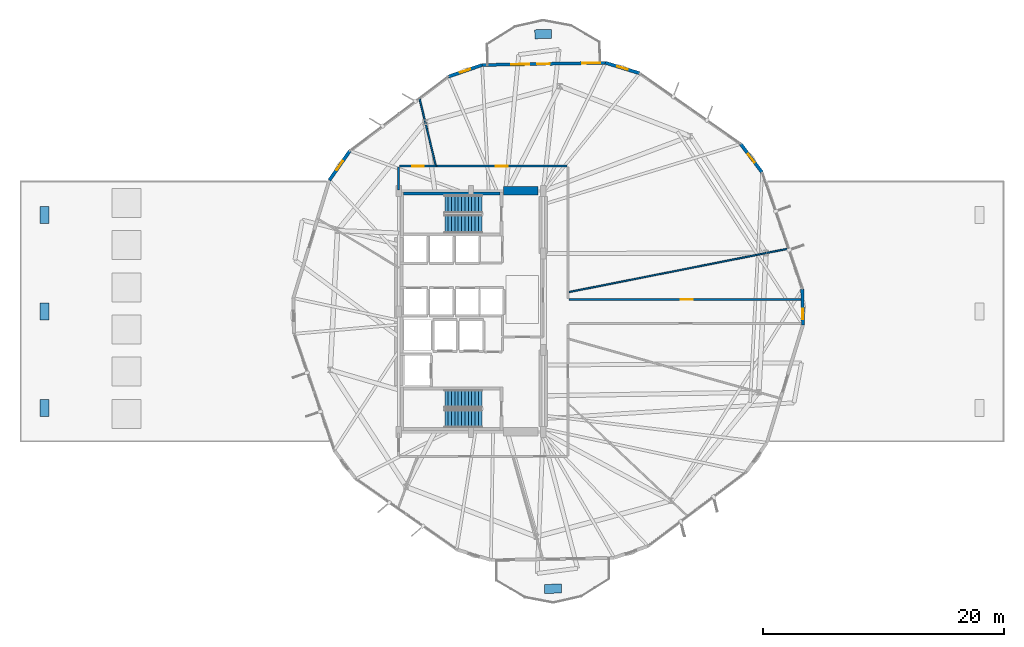
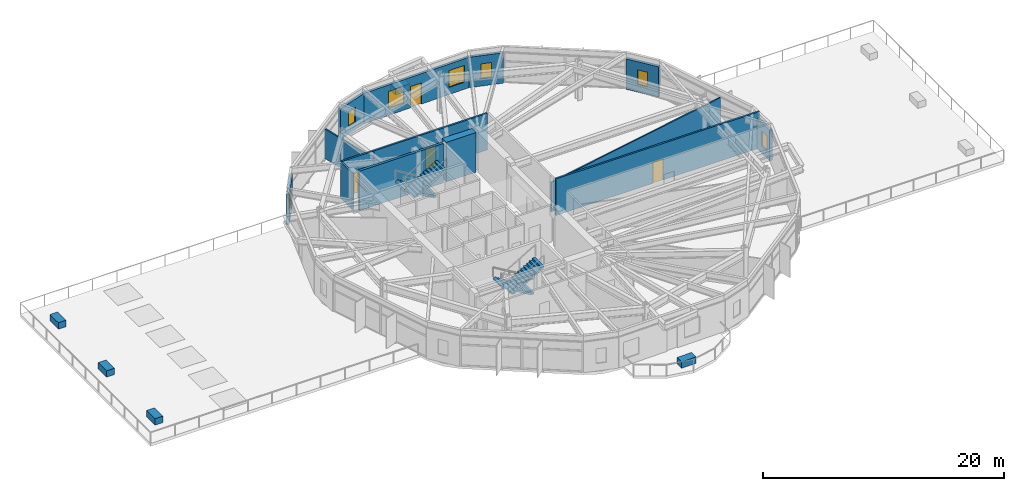
# One storey, part 19 of 23: 14 walls, 7 windows, 5 discrete accessories, 4 doors, 4 stair flights, 11 openings, 2 elements without a shape of their own.
"""IFC4 building model written with IfcOpenShell, lengths in metres."""

import ifcopenshell
import ifcopenshell.guid

model = None  # the IFC model being written
_history = None  # IfcOwnerHistory: only IFC2X3 demands one
_inside = {}  # id of a spatial element -> (the spatial element, [elements in it])
_under = {}  # id of a project, library or spatial element -> (it, [spatial elements below it])
_declared = {}  # id of a project -> (the project, [libraries it declares])
_typed = {}  # id of a type object -> (the type object, [elements of that type])
_made_of = {}  # id of a material, layer set ... -> (it, [elements and type objects made of it])


def new_model(schema):
    """Start an empty IFC model of exactly this schema.

    Asked for "IFC4X3", IfcOpenShell would pick the latest addendum, in which some entities
    have other attributes; the version numbers below select the first issue.
    IFC2X3 requires an IfcOwnerHistory on every rooted entity: one is made here for all.
    """
    global model, _history
    if schema == "IFC4X3":
        model = ifcopenshell.file(schema_version=(4, 3, 0, 0))
    else:
        model = ifcopenshell.file(schema=schema)
    _inside.clear()
    _under.clear()
    _declared.clear()
    _typed.clear()
    _made_of.clear()
    _history = None
    if model.schema == "IFC2X3":
        org = make("IfcOrganization", Name="unknown")
        user = make(
            "IfcPersonAndOrganization",
            ThePerson=make("IfcPerson", FamilyName="unknown"),
            TheOrganization=org,
        )
        app = make(
            "IfcApplication",
            ApplicationDeveloper=org,
            Version="unknown",
            ApplicationFullName="unknown",
            ApplicationIdentifier="unknown",
        )
        _history = make(
            "IfcOwnerHistory",
            OwningUser=user,
            OwningApplication=app,
            ChangeAction="ADDED",
            CreationDate=0,
        )
    return model


def make(cls, **values):
    """One entity of the class cls with the attributes given. An attribute that is None is left unset."""
    return model.create_entity(
        cls, **{name: value for name, value in values.items() if value is not None}
    )


def rooted(cls, **values):
    """An entity with a GlobalId (a new one), such as an element, a storey or a relation."""
    return make(cls, GlobalId=ifcopenshell.guid.new(), OwnerHistory=_history, **values)


def si_unit(unit_type, name, prefix=None):
    """IfcSIUnit, for example si_unit("LENGTHUNIT", "METRE", prefix="MILLI")."""
    return make("IfcSIUnit", UnitType=unit_type, Prefix=prefix, Name=name)


def assignment(units):
    """IfcUnitAssignment: the units of a project."""
    return None if units is None else make("IfcUnitAssignment", Units=units)


def point(xyz):
    """IfcCartesianPoint."""
    return None if xyz is None else make("IfcCartesianPoint", Coordinates=xyz)


def direction(xyz):
    """IfcDirection."""
    return None if xyz is None else make("IfcDirection", DirectionRatios=xyz)


def frame(location, z_axis=None, x_axis=None):
    """IfcAxis2Placement3D, a coordinate frame: its origin and axes. An axis left out is left unset."""
    return make(
        "IfcAxis2Placement3D",
        Location=point(location),
        Axis=direction(z_axis),
        RefDirection=direction(x_axis),
    )


def frame_2d(location, x_axis=None):
    """IfcAxis2Placement2D, a coordinate frame in the plane: its origin and x axis."""
    return make(
        "IfcAxis2Placement2D", Location=point(location), RefDirection=direction(x_axis)
    )


def origin():
    """The frame at (0, 0, 0) with its axes left unset."""
    return frame((0.0, 0.0, 0.0))


def origin_2d():
    """The frame at (0, 0) in the plane with its x axis left unset."""
    return frame_2d((0.0, 0.0))


def place(relative_to, where):
    """IfcLocalPlacement: puts the frame where relative to a parent placement (None: the world)."""
    return make(
        "IfcLocalPlacement", PlacementRelTo=relative_to, RelativePlacement=where
    )


def context(
    kind, dimensions, precision=None, world=None, true_north=None, identifier=None
):
    """IfcGeometricRepresentationContext, for example the 3D "Model" context."""
    return make(
        "IfcGeometricRepresentationContext",
        ContextIdentifier=identifier,
        ContextType=kind,
        CoordinateSpaceDimension=dimensions,
        Precision=precision,
        WorldCoordinateSystem=world,
        TrueNorth=true_north,
    )


def subcontext(parent, identifier, kind, view, scale=None):
    """IfcGeometricRepresentationSubContext, for example "Body" below "Model"."""
    return make(
        "IfcGeometricRepresentationSubContext",
        ContextIdentifier=identifier,
        ContextType=kind,
        ParentContext=parent,
        TargetScale=scale,
        TargetView=view,
    )


def project(units=None, contexts=None):
    """IfcProject with its units and contexts."""
    return rooted(
        "IfcProject",
        Name="project",
        RepresentationContexts=contexts,
        UnitsInContext=assignment(units),
    )


def spatial(cls, under=None, at=None, **own):
    """A site, building, storey or space (cls), placed at a placement, below another one or the project."""
    s = rooted(cls, ObjectPlacement=at, **own)
    if under is not None:
        _under.setdefault(under.id(), (under, []))[1].append(s)
    return s


def polyline(points):
    """IfcPolyline through the points."""
    return make("IfcPolyline", Points=[point(p) for p in points])


def profile(cls, at=None, kind="AREA", **sizes):
    """A parametric profile (cls). Its sizes go by their IFC names, for example OverallWidth=200.0."""
    return make(cls, ProfileType=kind, Position=at, **sizes)


def rectangle(**sizes):
    """IfcRectangleProfileDef."""
    return profile("IfcRectangleProfileDef", **sizes)


def outline(outer, holes=None, kind="AREA"):
    """IfcArbitraryClosedProfileDef: a profile drawn as a closed curve; with holes, ...WithVoids."""
    if holes is None:
        return make("IfcArbitraryClosedProfileDef", ProfileType=kind, OuterCurve=outer)
    return make(
        "IfcArbitraryProfileDefWithVoids",
        ProfileType=kind,
        OuterCurve=outer,
        InnerCurves=holes,
    )


def extrude(swept, where, along, depth):
    """IfcExtrudedAreaSolid: the profile swept, set in the frame where, extruded along a direction by depth."""
    return make(
        "IfcExtrudedAreaSolid",
        SweptArea=swept,
        Position=where,
        ExtrudedDirection=direction(along),
        Depth=depth,
    )


def shape(context_of_items, identifier, shape_type, items):
    """IfcShapeRepresentation: the items that make up one representation, for example the "Body"."""
    return make(
        "IfcShapeRepresentation",
        ContextOfItems=context_of_items,
        RepresentationIdentifier=identifier,
        RepresentationType=shape_type,
        Items=items,
    )


def material(Name=None, Category=None):
    """IfcMaterial."""
    return make("IfcMaterial", Name=Name, Category=Category)


def layer(
    of_material, thickness, ventilated=None, Name=None, Category=None, Priority=None
):
    """IfcMaterialLayer: one layer of a wall or slab, of a material (None: an air gap)."""
    return make(
        "IfcMaterialLayer",
        Material=of_material,
        LayerThickness=thickness,
        IsVentilated=ventilated,
        Name=Name,
        Category=Category,
        Priority=Priority,
    )


def layer_set(layers, Name=None):
    """IfcMaterialLayerSet."""
    return make("IfcMaterialLayerSet", MaterialLayers=layers, LayerSetName=Name)


def made_of(thing, what):
    """Note that an element or type object is made of a material, layer set ...; save() writes the relation."""
    if what is not None:
        _made_of.setdefault(what.id(), (what, []))[1].append(thing)
    return thing


def type_object(cls, material=None, **own):
    """A type object (cls), such as IfcWallType, which elements share."""
    return made_of(rooted(cls, **own), material)


def element(
    cls,
    number,
    at=None,
    inside=None,
    cuts=None,
    type_object=None,
    material=None,
    context=None,
    identifier="Body",
    shape_type=None,
    held_by="IfcProductDefinitionShape",
    body=None,
    shapes=None,
    **own,
):
    """One element of the class cls, such as IfcWall. Its Tag is "e" and its number.

    at: its placement. inside: the storey or other place that contains it. cuts: it is an
    opening in that element (IfcRelVoidsElement). A single representation is given by context,
    identifier, shape_type and body (its items); several are given by shapes. held_by: the class
    of the entity that holds the representations. save() writes the other relations.
    """
    e = rooted(cls, Tag="e%d" % number, ObjectPlacement=at, **own)
    if body is not None:
        shapes = [shape(context, identifier, shape_type, body)]
    if shapes is not None:
        e.Representation = make(held_by, Representations=shapes)
    if inside is not None:
        _inside.setdefault(inside.id(), (inside, []))[1].append(e)
    if cuts is not None:
        rooted(
            "IfcRelVoidsElement", RelatingBuildingElement=cuts, RelatedOpeningElement=e
        )
    if type_object is not None:
        _typed.setdefault(type_object.id(), (type_object, []))[1].append(e)
    return made_of(e, material)


def fill(opening, filler):
    """IfcRelFillsElement: the door or window that sits in an opening."""
    return rooted(
        "IfcRelFillsElement",
        RelatingOpeningElement=opening,
        RelatedBuildingElement=filler,
    )


def aggregate(whole, parts):
    """IfcRelAggregates: a whole, such as a stair, and the parts it consists of."""
    return rooted("IfcRelAggregates", RelatingObject=whole, RelatedObjects=parts)


def save(model, path):
    """Write the relations noted so far, then the file.

    IfcRelAggregates (storeys below a building ...), IfcRelContainedInSpatialStructure (elements
    in a storey), IfcRelDefinesByType, IfcRelAssociatesMaterial and IfcRelDeclares: one each for
    every whole, place, type object, material and project.
    """
    for whole, parts in _under.values():
        aggregate(whole, parts)
    for where, things in _inside.values():
        rooted(
            "IfcRelContainedInSpatialStructure",
            RelatedElements=things,
            RelatingStructure=where,
        )
    for kind, things in _typed.values():
        rooted("IfcRelDefinesByType", RelatedObjects=things, RelatingType=kind)
    for what, things in _made_of.values():
        rooted("IfcRelAssociatesMaterial", RelatedObjects=things, RelatingMaterial=what)
    for by, libraries in _declared.values():
        rooted("IfcRelDeclares", RelatingContext=by, RelatedDefinitions=libraries)
    model.write(path)


model = new_model("IFC4")

# Units and contexts
model_context = context("Model", 3, precision=1e-05, world=origin(), true_north=direction((0.0, 1.0)))
body_context = subcontext(model_context, "Body", "Model", "MODEL_VIEW")
ifc_project = project(units=[si_unit("LENGTHUNIT", "METRE"), si_unit("AREAUNIT", "SQUARE_METRE"), si_unit("VOLUMEUNIT", "CUBIC_METRE"), si_unit("PLANEANGLEUNIT", "RADIAN"), si_unit("MASSUNIT", "GRAM", prefix="KILO")], contexts=[model_context])

# Site, building, storey
site_placement = place(None, origin())
site = spatial("IfcSite", under=ifc_project, at=site_placement, CompositionType="ELEMENT")
building_placement = place(site_placement, origin())
building = spatial("IfcBuilding", under=site, at=building_placement, Name="Soratama Intermodal Tower", CompositionType="ELEMENT")
storey_placement = place(building_placement, frame((0.0, 0.0, 30.60009765625)))
storey = spatial("IfcBuildingStorey", under=building, at=storey_placement, Name="L06", CompositionType="ELEMENT", Elevation=30.60009765625)

# Wall, openings, door, windows
ifc_material_1 = material(Name="Concrete f'c 42 MPa", Category="concrete")
ifc_layer_1 = layer(ifc_material_1, 0.25)
ifc_layer_set_1 = layer_set([ifc_layer_1], Name="Concrete f'c 42 MPa")
wall_type_1 = type_object("IfcWallType", Name="EW-BAL-250", PredefinedType="SOLIDWALL", material=ifc_layer_set_1)
wall_1_placement = place(storey_placement, frame((49.748779296875, 45.630615234375, 0.0), z_axis=(0.0, 0.0, 1.0), x_axis=(-0.999841518507, -0.017802748951, 0.0)))
wall_1 = element("IfcWall", 1, at=wall_1_placement, inside=storey, type_object=wall_type_1, Name="L06 Terrace Wall F03", PredefinedType="SOLIDWALL", context=body_context, shape_type="SweptSolid", body=[
    extrude(rectangle(XDim=10.23046875, YDim=0.25, at=frame_2d((5.115234375, 0.0))), origin(), (0.0, 0.0, 1.0), 3.078857421875),
])
opening_1_placement = place(wall_1_placement, frame((4.615234375, 0.0, 0.0)))
opening_1 = element("IfcOpeningElement", 2, at=opening_1_placement, cuts=wall_1, Name="Opening ED-5", PredefinedType="OPENING", context=body_context, shape_type="SweptSolid", body=[
    extrude(rectangle(XDim=1.050048828125, YDim=2.14990234375, at=frame_2d((0.52490234375, 1.074951171875))), frame((0.0, 0.135009765625, 0.0), z_axis=(0.0, -1.0, 0.0), x_axis=(1.0, 0.0, 0.0)), (0.0, 0.0, 1.0), 0.27001953125),
])
opening_2_placement = place(wall_1_placement, frame((0.43994140625, 0.0, 0.719970703125)))
opening_2 = element("IfcOpeningElement", 3, at=opening_2_placement, cuts=wall_1, Name="Opening WN-1", PredefinedType="OPENING", context=body_context, shape_type="SweptSolid", body=[
    extrude(rectangle(XDim=1.5, YDim=1.699951171875, at=frame_2d((0.75, 0.85009765625))), frame((0.0, 0.135009765625, 0.0), z_axis=(0.0, -1.0, 0.0), x_axis=(1.0, 0.0, 0.0)), (0.0, 0.0, 1.0), 0.27001953125),
])
opening_3_placement = place(wall_1_placement, frame((6.30517578125, 0.0, 0.719970703125)))
opening_3 = element("IfcOpeningElement", 4, at=opening_3_placement, cuts=wall_1, Name="Opening WN-1", PredefinedType="OPENING", context=body_context, shape_type="SweptSolid", body=[
    extrude(rectangle(XDim=1.5, YDim=1.699951171875, at=frame_2d((0.75, 0.85009765625))), frame((0.0, 0.135009765625, 0.0), z_axis=(0.0, -1.0, 0.0), x_axis=(1.0, 0.0, 0.0)), (0.0, 0.0, 1.0), 0.27001953125),
])
ifc_material_2 = material(Name="Double-glazed aluminium door", Category="aluminium")
door_type_1 = type_object("IfcDoorType", Name="DR-BAL-1050", OperationType="NOTDEFINED", PredefinedType="DOOR", material=ifc_material_2)
door_1_placement = place(opening_1_placement, origin())
door_1 = element("IfcDoor", 5, at=door_1_placement, inside=storey, type_object=door_type_1, Name="L06 Balcony Door F03", OperationType="SINGLE_SWING_LEFT", OverallHeight=2.14990234375, OverallWidth=1.050048828125, PredefinedType="DOOR", context=body_context, shape_type="SweptSolid", body=[
    extrude(rectangle(XDim=1.050048828125, YDim=2.14990234375, at=frame_2d((0.52490234375, 1.074951171875))), frame((0.0, 0.02490234375, 0.0), z_axis=(0.0, -1.0, 0.0), x_axis=(1.0, 0.0, 0.0)), (0.0, 0.0, 1.0), 0.050048828125),
])
fill(opening_1, door_1)
ifc_material_3 = material(Name="Double-glazed aluminium window", Category="aluminium")
window_type_1 = type_object("IfcWindowType", Name="WN-FAC-1500", PartitioningType="SINGLE_PANEL", PredefinedType="WINDOW", material=ifc_material_3)
window_1_placement = place(opening_2_placement, origin())
window_1 = element("IfcWindow", 6, at=window_1_placement, inside=storey, type_object=window_type_1, Name="L06 Window A F03", OverallHeight=1.699951171875, OverallWidth=1.5, PartitioningType="SINGLE_PANEL", PredefinedType="WINDOW", context=body_context, shape_type="SweptSolid", body=[
    extrude(rectangle(XDim=1.5, YDim=1.699951171875, at=frame_2d((0.75, 0.85009765625))), frame((0.0, 0.030029296875, 0.0), z_axis=(0.0, -1.0, 0.0), x_axis=(1.0, 0.0, 0.0)), (0.0, 0.0, 1.0), 0.06005859375),
])
fill(opening_2, window_1)
window_2_placement = place(opening_3_placement, origin())
window_2 = element("IfcWindow", 7, at=window_2_placement, inside=storey, type_object=window_type_1, Name="L06 Window B F03", OverallHeight=1.699951171875, OverallWidth=1.5, PartitioningType="SINGLE_PANEL", PredefinedType="WINDOW", context=body_context, shape_type="SweptSolid", body=[
    extrude(rectangle(XDim=1.5, YDim=1.699951171875, at=frame_2d((0.75, 0.85009765625))), frame((0.0, 0.030029296875, 0.0), z_axis=(0.0, -1.0, 0.0), x_axis=(1.0, 0.0, 0.0)), (0.0, 0.0, 1.0), 0.06005859375),
])
fill(opening_3, window_2)

# Wall, opening, window
ifc_material_4 = material(Name="Concrete f'c 42 MPa", Category="concrete")
ifc_layer_2 = layer(ifc_material_4, 0.27001953125)
ifc_layer_set_2 = layer_set([ifc_layer_2], Name="Concrete f'c 42 MPa")
wall_type_2 = type_object("IfcWallType", Name="EW-CRN-270", PredefinedType="SOLIDWALL", material=ifc_layer_set_2)
wall_2_placement = place(storey_placement, frame((62.75439453125, 36.53076171875, 0.0), z_axis=(0.0, 0.0, 1.0), x_axis=(-0.602130877059, 0.798397399102, 0.0)))
wall_2 = element("IfcWall", 8, at=wall_2_placement, inside=storey, type_object=wall_type_2, Name="L06 Corner Closure Wall 01", PredefinedType="SOLIDWALL", context=body_context, shape_type="SweptSolid", body=[
    extrude(rectangle(XDim=2.966796875, YDim=0.27001953125, at=frame_2d((1.4833984375, 0.0))), origin(), (0.0, 0.0, 1.0), 3.078857421875),
])
opening_4_placement = place(wall_2_placement, frame((1.033203125, 0.0, 0.75)))
opening_4 = element("IfcOpeningElement", 9, at=opening_4_placement, cuts=wall_2, Name="Opening WN-6", PredefinedType="OPENING", context=body_context, shape_type="SweptSolid", body=[
    extrude(rectangle(XDim=0.89990234375, YDim=1.5, at=frame_2d((0.449951171875, 0.75))), frame((0.0, 0.14501953125, 0.0), z_axis=(0.0, -1.0, 0.0), x_axis=(1.0, 0.0, 0.0)), (0.0, 0.0, 1.0), 0.2900390625),
])
ifc_material_5 = material(Name="Double-glazed aluminium window", Category="aluminium")
window_type_2 = type_object("IfcWindowType", Name="WN-FAC-900", PartitioningType="SINGLE_PANEL", PredefinedType="WINDOW", material=ifc_material_5)
window_3_placement = place(opening_4_placement, origin())
window_3 = element("IfcWindow", 10, at=window_3_placement, inside=storey, type_object=window_type_2, Name="L06 Corner Window 01", OverallHeight=1.5, OverallWidth=0.89990234375, PartitioningType="SINGLE_PANEL", PredefinedType="WINDOW", context=body_context, shape_type="SweptSolid", body=[
    extrude(rectangle(XDim=0.89990234375, YDim=1.5, at=frame_2d((0.449951171875, 0.75))), frame((0.0, 0.030029296875, 0.0), z_axis=(0.0, -1.0, 0.0), x_axis=(1.0, 0.0, 0.0)), (0.0, 0.0, 1.0), 0.06005859375),
])
fill(opening_4, window_3)

wall_3_placement = place(storey_placement, frame((52.5859375, 44.764404296875, 0.0), z_axis=(0.0, 0.0, 1.0), x_axis=(-0.956417352577, 0.292003163836, 0.0)))
wall_3 = element("IfcWall", 11, at=wall_3_placement, inside=storey, type_object=wall_type_2, Name="L06 Corner Closure Wall 02", PredefinedType="SOLIDWALL", context=body_context, shape_type="SweptSolid", body=[
    extrude(rectangle(XDim=2.966552734375, YDim=0.27001953125, at=frame_2d((1.4833984375, 0.0))), origin(), (0.0, 0.0, 1.0), 3.078857421875),
])
opening_5_placement = place(wall_3_placement, frame((1.033203125, 0.0, 0.75)))
opening_5 = element("IfcOpeningElement", 12, at=opening_5_placement, cuts=wall_3, Name="Opening WN-6", PredefinedType="OPENING", context=body_context, shape_type="SweptSolid", body=[
    extrude(rectangle(XDim=0.89990234375, YDim=1.5, at=frame_2d((0.449951171875, 0.75))), frame((0.0, 0.14501953125, 0.0), z_axis=(0.0, -1.0, 0.0), x_axis=(1.0, 0.0, 0.0)), (0.0, 0.0, 1.0), 0.2900390625),
])
window_4_placement = place(opening_5_placement, origin())
window_4 = element("IfcWindow", 13, at=window_4_placement, inside=storey, type_object=window_type_2, Name="L06 Corner Window 02", OverallHeight=1.5, OverallWidth=0.89990234375, PartitioningType="SINGLE_PANEL", PredefinedType="WINDOW", context=body_context, shape_type="SweptSolid", body=[
    extrude(rectangle(XDim=0.89990234375, YDim=1.5, at=frame_2d((0.449951171875, 0.75))), frame((0.0, 0.030029296875, 0.0), z_axis=(0.0, -1.0, 0.0), x_axis=(1.0, 0.0, 0.0)), (0.0, 0.0, 1.0), 0.06005859375),
])
fill(opening_5, window_4)

wall_4_placement = place(storey_placement, frame((39.52001953125, 45.448486328125, 0.0), z_axis=(0.0, 0.0, 1.0), x_axis=(-0.945407958228, -0.325889233512, 0.0)))
wall_4 = element("IfcWall", 14, at=wall_4_placement, inside=storey, type_object=wall_type_2, Name="L06 Corner Closure Wall 03", PredefinedType="SOLIDWALL", context=body_context, shape_type="SweptSolid", body=[
    extrude(rectangle(XDim=2.966552734375, YDim=0.27001953125, at=frame_2d((1.4833984375, 0.0))), origin(), (0.0, 0.0, 1.0), 3.078857421875),
])
opening_6_placement = place(wall_4_placement, frame((1.033203125, 0.0, 0.75)))
opening_6 = element("IfcOpeningElement", 15, at=opening_6_placement, cuts=wall_4, Name="Opening WN-6", PredefinedType="OPENING", context=body_context, shape_type="SweptSolid", body=[
    extrude(rectangle(XDim=0.89990234375, YDim=1.5, at=frame_2d((0.449951171875, 0.75))), frame((0.0, 0.14501953125, 0.0), z_axis=(0.0, -1.0, 0.0), x_axis=(1.0, 0.0, 0.0)), (0.0, 0.0, 1.0), 0.2900390625),
])
window_5_placement = place(opening_6_placement, origin())
window_5 = element("IfcWindow", 16, at=window_5_placement, inside=storey, type_object=window_type_2, Name="L06 Corner Window 03", OverallHeight=1.5, OverallWidth=0.89990234375, PartitioningType="SINGLE_PANEL", PredefinedType="WINDOW", context=body_context, shape_type="SweptSolid", body=[
    extrude(rectangle(XDim=0.89990234375, YDim=1.5, at=frame_2d((0.449951171875, 0.75))), frame((0.0, 0.030029296875, 0.0), z_axis=(0.0, -1.0, 0.0), x_axis=(1.0, 0.0, 0.0)), (0.0, 0.0, 1.0), 0.06005859375),
])
fill(opening_6, window_5)

wall_5_placement = place(storey_placement, frame((28.547119140625, 38.322021484375, 0.0), z_axis=(0.0, 0.0, 1.0), x_axis=(-0.573285584338, -0.819355624128, 0.0)))
wall_5 = element("IfcWall", 17, at=wall_5_placement, inside=storey, type_object=wall_type_2, Name="L06 Corner Closure Wall 04", PredefinedType="SOLIDWALL", context=body_context, shape_type="SweptSolid", body=[
    extrude(rectangle(XDim=2.966552734375, YDim=0.27001953125, at=frame_2d((1.4833984375, 0.0))), origin(), (0.0, 0.0, 1.0), 3.078857421875),
])
opening_7_placement = place(wall_5_placement, frame((1.033203125, 0.0, 0.75)))
opening_7 = element("IfcOpeningElement", 18, at=opening_7_placement, cuts=wall_5, Name="Opening WN-6", PredefinedType="OPENING", context=body_context, shape_type="SweptSolid", body=[
    extrude(rectangle(XDim=0.89990234375, YDim=1.5, at=frame_2d((0.449951171875, 0.75))), frame((0.0, 0.14501953125, 0.0), z_axis=(0.0, -1.0, 0.0), x_axis=(1.0, 0.0, 0.0)), (0.0, 0.0, 1.0), 0.2900390625),
])
window_6_placement = place(opening_7_placement, origin())
window_6 = element("IfcWindow", 19, at=window_6_placement, inside=storey, type_object=window_type_2, Name="L06 Corner Window 04", OverallHeight=1.5, OverallWidth=0.89990234375, PartitioningType="SINGLE_PANEL", PredefinedType="WINDOW", context=body_context, shape_type="SweptSolid", body=[
    extrude(rectangle(XDim=0.89990234375, YDim=1.5, at=frame_2d((0.449951171875, 0.75))), frame((0.0, 0.030029296875, 0.0), z_axis=(0.0, -1.0, 0.0), x_axis=(1.0, 0.0, 0.0)), (0.0, 0.0, 1.0), 0.06005859375),
])
fill(opening_7, window_6)

wall_6_placement = place(storey_placement, frame((66.14111328125, 23.892822265625, 0.0), z_axis=(0.0, 0.0, 1.0), x_axis=(-0.017776431734, 0.999841986753, 0.0)))
wall_6 = element("IfcWall", 20, at=wall_6_placement, inside=storey, type_object=wall_type_2, Name="L06 Corner Closure Wall 10", PredefinedType="SOLIDWALL", context=body_context, shape_type="SweptSolid", body=[
    extrude(rectangle(XDim=2.966552734375, YDim=0.27001953125, at=frame_2d((1.4833984375, 0.0))), origin(), (0.0, 0.0, 1.0), 3.078857421875),
])
opening_8_placement = place(wall_6_placement, frame((0.449951171875, 0.0, 0.75)))
opening_8 = element("IfcOpeningElement", 21, at=opening_8_placement, cuts=wall_6, Name="Opening WN-6", PredefinedType="OPENING", context=body_context, shape_type="SweptSolid", body=[
    extrude(rectangle(XDim=0.89990234375, YDim=1.5, at=frame_2d((0.449951171875, 0.75))), frame((0.0, 0.14501953125, 0.0), z_axis=(0.0, -1.0, 0.0), x_axis=(1.0, 0.0, 0.0)), (0.0, 0.0, 1.0), 0.2900390625),
])
window_7_placement = place(opening_8_placement, origin())
window_7 = element("IfcWindow", 22, at=window_7_placement, inside=storey, type_object=window_type_2, Name="L06 Corner Window 10", OverallHeight=1.5, OverallWidth=0.89990234375, PartitioningType="SINGLE_PANEL", PredefinedType="WINDOW", context=body_context, shape_type="SweptSolid", body=[
    extrude(rectangle(XDim=0.89990234375, YDim=1.5, at=frame_2d((0.449951171875, 0.75))), frame((0.0, 0.030029296875, 0.0), z_axis=(0.0, -1.0, 0.0), x_axis=(1.0, 0.0, 0.0)), (0.0, 0.0, 1.0), 0.06005859375),
])
fill(opening_8, window_7)

# Wall, opening, door
ifc_material_6 = material(Name="Fire-rated gypsum stud partition", Category="concrete")
ifc_layer_3 = layer(ifc_material_6, 0.169921875)
ifc_layer_set_3 = layer_set([ifc_layer_3], Name="Fire-rated gypsum stud partition")
wall_type_3 = type_object("IfcWallType", Name="IW-PART-R170", PredefinedType="PARTITIONING", material=ifc_layer_set_3)
wall_7_placement = place(storey_placement, frame((46.719970703125, 26.0, 0.0), z_axis=(0.0, 0.0, 1.0), x_axis=(1.0, 0.0, 0.0)))
wall_7 = element("IfcWall", 23, at=wall_7_placement, inside=storey, type_object=wall_type_3, Name="L06 Partition W-L06-TP001", PredefinedType="PARTITIONING", context=body_context, shape_type="SweptSolid", body=[
    extrude(rectangle(XDim=19.52001953125, YDim=0.169921875, at=frame_2d((9.760009765625, 0.0))), origin(), (0.0, 0.0, 1.0), 3.699951171875),
])
opening_9_placement = place(wall_7_placement, frame((9.284912109375, 0.0, 0.0)))
opening_9 = element("IfcOpeningElement", 24, at=opening_9_placement, cuts=wall_7, Name="Opening ID-5", PredefinedType="OPENING", context=body_context, shape_type="SweptSolid", body=[
    extrude(rectangle(XDim=0.97998046875, YDim=2.14990234375, at=frame_2d((0.489990234375, 1.074951171875))), frame((0.0, 0.094970703125, 0.0), z_axis=(0.0, -1.0, 0.0), x_axis=(1.0, 0.0, 0.0)), (0.0, 0.0, 1.0), 0.18994140625),
])
ifc_material_7 = material(Name="Solid hardwood acoustic door", Category="wood")
door_type_2 = type_object("IfcDoorType", Name="DR-OFF-980", OperationType="NOTDEFINED", PredefinedType="DOOR", material=ifc_material_7)
door_2_placement = place(opening_9_placement, origin())
door_2 = element("IfcDoor", 25, at=door_2_placement, inside=storey, type_object=door_type_2, Name="L06 Door D-L06-TP001", OperationType="SINGLE_SWING_RIGHT", OverallHeight=2.14990234375, OverallWidth=0.97998046875, PredefinedType="DOOR", context=body_context, shape_type="SweptSolid", body=[
    extrude(rectangle(XDim=0.97998046875, YDim=2.14990234375, at=frame_2d((0.489990234375, 1.074951171875))), frame((0.0, 0.02490234375, 0.0), z_axis=(0.0, -1.0, 0.0), x_axis=(1.0, 0.0, 0.0)), (0.0, 0.0, 1.0), 0.050048828125),
])
fill(opening_9, door_2)

wall_8_placement = place(storey_placement, frame((35.68701171875, 37.050048828125, 0.0), z_axis=(0.0, 0.0, 1.0), x_axis=(1.0, 0.0, 0.0)))
wall_8 = element("IfcWall", 26, at=wall_8_placement, inside=storey, type_object=wall_type_3, Name="L06 Partition W-L06-TP006", PredefinedType="PARTITIONING", context=body_context, shape_type="SweptSolid", body=[
    extrude(rectangle(XDim=10.89306640625, YDim=0.169921875, at=frame_2d((5.446533203125, 0.0))), origin(), (0.0, 0.0, 1.0), 3.699951171875),
])
opening_10_placement = place(wall_8_placement, frame((4.971923828125, 0.0, 0.0)))
opening_10 = element("IfcOpeningElement", 27, at=opening_10_placement, cuts=wall_8, Name="Opening ID-5", PredefinedType="OPENING", context=body_context, shape_type="SweptSolid", body=[
    extrude(rectangle(XDim=0.97998046875, YDim=2.14990234375, at=frame_2d((0.489990234375, 1.074951171875))), frame((0.0, 0.094970703125, 0.0), z_axis=(0.0, -1.0, 0.0), x_axis=(1.0, 0.0, 0.0)), (0.0, 0.0, 1.0), 0.18994140625),
])
door_3_placement = place(opening_10_placement, origin())
door_3 = element("IfcDoor", 28, at=door_3_placement, inside=storey, type_object=door_type_2, Name="L06 Door D-L06-TP003", OperationType="SINGLE_SWING_RIGHT", OverallHeight=2.14990234375, OverallWidth=0.97998046875, PredefinedType="DOOR", context=body_context, shape_type="SweptSolid", body=[
    extrude(rectangle(XDim=0.97998046875, YDim=2.14990234375, at=frame_2d((0.489990234375, 1.074951171875))), frame((0.0, 0.02490234375, 0.0), z_axis=(0.0, -1.0, 0.0), x_axis=(1.0, 0.0, 0.0)), (0.0, 0.0, 1.0), 0.050048828125),
])
fill(opening_10, door_3)

wall_9_placement = place(storey_placement, frame((32.669921875, 37.050048828125, 0.0), z_axis=(0.0, 0.0, 1.0), x_axis=(1.0, 0.0, 0.0)))
wall_9 = element("IfcWall", 29, at=wall_9_placement, inside=storey, type_object=wall_type_3, Name="L06 Partition W-L06-TP018", PredefinedType="PARTITIONING", context=body_context, shape_type="SweptSolid", body=[
    extrude(rectangle(XDim=3.01708984375, YDim=0.169921875, at=frame_2d((1.508544921875, 0.0))), origin(), (0.0, 0.0, 1.0), 3.699951171875),
])
opening_11_placement = place(wall_9_placement, frame((1.032958984375, 0.0, 0.0)))
opening_11 = element("IfcOpeningElement", 30, at=opening_11_placement, cuts=wall_9, Name="Opening ID-5", PredefinedType="OPENING", context=body_context, shape_type="SweptSolid", body=[
    extrude(rectangle(XDim=0.97998046875, YDim=2.14990234375, at=frame_2d((0.489990234375, 1.074951171875))), frame((0.0, 0.094970703125, 0.0), z_axis=(0.0, -1.0, 0.0), x_axis=(1.0, 0.0, 0.0)), (0.0, 0.0, 1.0), 0.18994140625),
])
door_4_placement = place(opening_11_placement, origin())
door_4 = element("IfcDoor", 31, at=door_4_placement, inside=storey, type_object=door_type_2, Name="L06 Door D-L06-TP009", OperationType="SINGLE_SWING_RIGHT", OverallHeight=2.14990234375, OverallWidth=0.97998046875, PredefinedType="DOOR", context=body_context, shape_type="SweptSolid", body=[
    extrude(rectangle(XDim=0.97998046875, YDim=2.14990234375, at=frame_2d((0.489990234375, 1.074951171875))), frame((0.0, 0.02490234375, 0.0), z_axis=(0.0, -1.0, 0.0), x_axis=(1.0, 0.0, 0.0)), (0.0, 0.0, 1.0), 0.050048828125),
])
fill(opening_11, door_4)

# Walls
wall_10_placement = place(storey_placement, frame((32.60009765625, 35.070068359375, 0.0), z_axis=(0.0, 0.0, 1.0), x_axis=(0.0, 1.0, 0.0)))
element("IfcWall", 32, at=wall_10_placement, inside=storey, type_object=wall_type_3, Name="L06 Partition W-L06-TP021", PredefinedType="PARTITIONING", context=body_context, shape_type="SweptSolid", body=[
    extrude(rectangle(XDim=1.909912109375, YDim=0.169921875, at=frame_2d((0.955078125, 0.0))), origin(), (0.0, 0.0, 1.0), 3.699951171875),
])
ifc_material_8 = material(Name="Fire-rated gypsum stud partition", Category="concrete")
ifc_layer_4 = layer(ifc_material_8, 0.1201171875)
ifc_layer_set_4 = layer_set([ifc_layer_4], Name="Fire-rated gypsum stud partition")
wall_type_4 = type_object("IfcWallType", Name="IW-PART-S120", PredefinedType="PARTITIONING", material=ifc_layer_set_4)
wall_11_placement = place(storey_placement, frame((46.64990234375, 26.593017578125, 0.0), z_axis=(0.0, 0.0, 1.0), x_axis=(0.980968189704, 0.194168511323, 0.0)))
element("IfcWall", 33, at=wall_11_placement, inside=storey, type_object=wall_type_4, Name="L06 Partition W-L06-TP003", PredefinedType="PARTITIONING", context=body_context, shape_type="SweptSolid", body=[
    extrude(rectangle(XDim=18.637939453125, YDim=0.1201171875, at=frame_2d((9.31884765625, 0.0))), origin(), (0.0, 0.0, 1.0), 2.994873046875),
])
ifc_material_9 = material(Name="Fire-rated gypsum stud partition", Category="concrete")
ifc_layer_5 = layer(ifc_material_9, 0.1298828125)
ifc_layer_set_5 = layer_set([ifc_layer_5], Name="Fire-rated gypsum stud partition")
wall_type_5 = type_object("IfcWallType", Name="IW-PART-S130", PredefinedType="PARTITIONING", material=ifc_layer_set_5)
wall_12_placement = place(storey_placement, frame((35.68701171875, 37.050048828125, 0.0), z_axis=(0.0, 0.0, 1.0), x_axis=(-0.234990748456, 0.971997607065, 0.0)))
element("IfcWall", 34, at=wall_12_placement, inside=storey, type_object=wall_type_5, Name="L06 Partition W-L06-TP012", PredefinedType="PARTITIONING", context=body_context, shape_type="SweptSolid", body=[
    extrude(rectangle(XDim=5.7919921875, YDim=0.1298828125, at=frame_2d((2.89599609375, 0.0))), origin(), (0.0, 0.0, 1.0), 2.994873046875),
])
ifc_material_10 = material(Name="Concrete f'c 56 MPa", Category="concrete")
ifc_layer_6 = layer(ifc_material_10, 0.699951171875)
ifc_layer_set_6 = layer_set([ifc_layer_6], Name="Concrete f'c 56 MPa")
wall_type_6 = type_object("IfcWallType", Name="SW-CORE-700", PredefinedType="SHEAR", material=ifc_layer_set_6)
wall_13_placement = place(storey_placement, frame((41.300048828125, 35.0, 0.0), z_axis=(0.0, 0.0, 1.0), x_axis=(1.0, 0.0, 0.0)))
element("IfcWall", 35, at=wall_13_placement, inside=storey, type_object=wall_type_6, Name="L06 Core Shear Wall CW-NE", PredefinedType="SHEAR", context=body_context, shape_type="SweptSolid", body=[
    extrude(rectangle(XDim=2.849853515625, YDim=0.699951171875, at=frame_2d((1.4248046875, 0.0))), origin(), (0.0, 0.0, 1.0), 4.0),
])
ifc_material_11 = material(Name="Concrete f'c 56 MPa", Category="concrete")
ifc_layer_7 = layer(ifc_material_11, 0.239990234375)
ifc_layer_set_7 = layer_set([ifc_layer_7], Name="Concrete f'c 56 MPa")
wall_type_7 = type_object("IfcWallType", Name="SW-STAIR-240", PredefinedType="SHEAR", material=ifc_layer_set_7)
wall_14_placement = place(storey_placement, frame((33.0, 34.77001953125, 0.0), z_axis=(0.0, 0.0, 1.0), x_axis=(1.0, 0.0, 0.0)))
element("IfcWall", 36, at=wall_14_placement, inside=storey, type_object=wall_type_7, Name="L06 ST-2 Shaft Shear Wall N", PredefinedType="SHEAR", context=body_context, shape_type="SweptSolid", body=[
    extrude(rectangle(XDim=8.0, YDim=0.239990234375, at=frame_2d((4.0, 0.0))), origin(), (0.0, 0.0, 1.0), 4.0),
])

# Stair, stair flights
ifc_material_12 = material(Name="Concrete f'c 42 MPa", Category="concrete")
stair_type = type_object("IfcStairType", Name="ST-CORE-DOGLEG", PredefinedType="HALF_TURN_STAIR", material=ifc_material_12)
stair_1_placement = place(storey_placement, origin())
stair_1 = element("IfcStair", 37, at=stair_1_placement, inside=storey, type_object=stair_type, Name="L06 ST-1", PredefinedType="HALF_TURN_STAIR")
ifc_material_13 = material(Name="Precast concrete f'c 40 MPa", Category="concrete")
ifc_layer_8 = layer(ifc_material_13, 0.199951171875)
ifc_layer_set_8 = layer_set([ifc_layer_8], Name="Precast concrete f'c 40 MPa")
stair_flight_type = type_object("IfcStairFlightType", Name="SF-FLIGHT-RC", PredefinedType="STRAIGHT", material=ifc_layer_set_8)
stair_flight_1_placement = place(storey_placement, frame((39.5, 17.75, 0.0), z_axis=(0.0, 0.0, 1.0), x_axis=(-1.0, 0.0, 0.0)))
stair_flight_1 = element("IfcStairFlight", 38, at=stair_flight_1_placement, type_object=stair_flight_type, Name="ST-1 flight 1", NumberOfRisers=12, NumberOfTreads=11, PredefinedType="STRAIGHT", RiserHeight=0.166666667, TreadLength=0.28, context=body_context, shape_type="SweptSolid", body=[
    extrude(outline(polyline([(0.0, 0.0), (0.0, 0.166748046875), (0.280029296875, 0.166748046875), (0.280029296875, 0.333251953125), (0.56005859375, 0.333251953125), (0.56005859375, 0.5), (0.840087890625, 0.5), (0.840087890625, 0.666748046875), (1.1201171875, 0.666748046875), (1.1201171875, 0.833251953125), (1.39990234375, 0.833251953125), (1.39990234375, 1.0), (1.679931640625, 1.0), (1.679931640625, 1.166748046875), (1.9599609375, 1.166748046875), (1.9599609375, 1.333251953125), (2.239990234375, 1.333251953125), (2.239990234375, 1.5), (2.52001953125, 1.5), (2.52001953125, 1.666748046875), (2.800048828125, 1.666748046875), (2.800048828125, 1.833251953125), (3.080078125, 1.833251953125), (3.080078125, 2.0), (3.080078125, 1.658935546875), (0.29296875, 0.0), (0.0, 0.0)])), frame((0.0, 0.75, 0.0), z_axis=(0.0, -1.0, 0.0), x_axis=(1.0, 0.0, 0.0)), (0.0, 0.0, 1.0), 1.5),
])
stair_flight_2_placement = place(storey_placement, frame((36.419921875, 16.10009765625, 2.0), z_axis=(0.0, 0.0, 1.0), x_axis=(1.0, 0.0, 0.0)))
stair_flight_2 = element("IfcStairFlight", 39, at=stair_flight_2_placement, type_object=stair_flight_type, Name="ST-1 flight 2", NumberOfRisers=12, NumberOfTreads=11, PredefinedType="STRAIGHT", RiserHeight=0.166666667, TreadLength=0.28, context=body_context, shape_type="SweptSolid", body=[
    extrude(outline(polyline([(0.0, 0.0), (0.0, 0.166748046875), (0.280029296875, 0.166748046875), (0.280029296875, 0.333251953125), (0.56005859375, 0.333251953125), (0.56005859375, 0.5), (0.840087890625, 0.5), (0.840087890625, 0.666748046875), (1.1201171875, 0.666748046875), (1.1201171875, 0.833251953125), (1.39990234375, 0.833251953125), (1.39990234375, 1.0), (1.679931640625, 1.0), (1.679931640625, 1.166748046875), (1.9599609375, 1.166748046875), (1.9599609375, 1.333251953125), (2.239990234375, 1.333251953125), (2.239990234375, 1.5), (2.52001953125, 1.5), (2.52001953125, 1.666748046875), (2.800048828125, 1.666748046875), (2.800048828125, 1.833251953125), (3.080078125, 1.833251953125), (3.080078125, 2.0), (3.080078125, 1.658935546875), (0.29296875, 0.0), (0.0, 0.0)])), frame((0.0, 0.75, 0.0), z_axis=(0.0, -1.0, 0.0), x_axis=(1.0, 0.0, 0.0)), (0.0, 0.0, 1.0), 1.5),
])
aggregate(stair_1, [stair_flight_1, stair_flight_2])

stair_2_placement = place(storey_placement, origin())
stair_2 = element("IfcStair", 40, at=stair_2_placement, inside=storey, type_object=stair_type, Name="L06 ST-2", PredefinedType="HALF_TURN_STAIR")
stair_flight_3_placement = place(storey_placement, frame((39.5, 33.89990234375, 0.0), z_axis=(0.0, 0.0, 1.0), x_axis=(-1.0, 0.0, 0.0)))
stair_flight_3 = element("IfcStairFlight", 41, at=stair_flight_3_placement, type_object=stair_flight_type, Name="ST-2 flight 1", NumberOfRisers=12, NumberOfTreads=11, PredefinedType="STRAIGHT", RiserHeight=0.166666667, TreadLength=0.28, context=body_context, shape_type="SweptSolid", body=[
    extrude(outline(polyline([(0.0, 0.0), (0.0, 0.166748046875), (0.280029296875, 0.166748046875), (0.280029296875, 0.333251953125), (0.56005859375, 0.333251953125), (0.56005859375, 0.5), (0.840087890625, 0.5), (0.840087890625, 0.666748046875), (1.1201171875, 0.666748046875), (1.1201171875, 0.833251953125), (1.39990234375, 0.833251953125), (1.39990234375, 1.0), (1.679931640625, 1.0), (1.679931640625, 1.166748046875), (1.9599609375, 1.166748046875), (1.9599609375, 1.333251953125), (2.239990234375, 1.333251953125), (2.239990234375, 1.5), (2.52001953125, 1.5), (2.52001953125, 1.666748046875), (2.800048828125, 1.666748046875), (2.800048828125, 1.833251953125), (3.080078125, 1.833251953125), (3.080078125, 2.0), (3.080078125, 1.658935546875), (0.29296875, 0.0), (0.0, 0.0)])), frame((0.0, 0.75, 0.0), z_axis=(0.0, -1.0, 0.0), x_axis=(1.0, 0.0, 0.0)), (0.0, 0.0, 1.0), 1.5),
])
stair_flight_4_placement = place(storey_placement, frame((36.419921875, 32.25, 2.0), z_axis=(0.0, 0.0, 1.0), x_axis=(1.0, 0.0, 0.0)))
stair_flight_4 = element("IfcStairFlight", 42, at=stair_flight_4_placement, type_object=stair_flight_type, Name="ST-2 flight 2", NumberOfRisers=12, NumberOfTreads=11, PredefinedType="STRAIGHT", RiserHeight=0.166666667, TreadLength=0.28, context=body_context, shape_type="SweptSolid", body=[
    extrude(outline(polyline([(0.0, 0.0), (0.0, 0.166748046875), (0.280029296875, 0.166748046875), (0.280029296875, 0.333251953125), (0.56005859375, 0.333251953125), (0.56005859375, 0.5), (0.840087890625, 0.5), (0.840087890625, 0.666748046875), (1.1201171875, 0.666748046875), (1.1201171875, 0.833251953125), (1.39990234375, 0.833251953125), (1.39990234375, 1.0), (1.679931640625, 1.0), (1.679931640625, 1.166748046875), (1.9599609375, 1.166748046875), (1.9599609375, 1.333251953125), (2.239990234375, 1.333251953125), (2.239990234375, 1.5), (2.52001953125, 1.5), (2.52001953125, 1.666748046875), (2.800048828125, 1.666748046875), (2.800048828125, 1.833251953125), (3.080078125, 1.833251953125), (3.080078125, 2.0), (3.080078125, 1.658935546875), (0.29296875, 0.0), (0.0, 0.0)])), frame((0.0, 0.75, 0.0), z_axis=(0.0, -1.0, 0.0), x_axis=(1.0, 0.0, 0.0)), (0.0, 0.0, 1.0), 1.5),
])
aggregate(stair_2, [stair_flight_3, stair_flight_4])

# Discrete accessories
ifc_material_14 = material(Name="Precast concrete f'c 40 MPa", Category="concrete")
discrete_accessory_type = type_object("IfcDiscreteAccessoryType", Name="AC-PLANTER-TREE", PredefinedType="USERDEFINED", material=ifc_material_14)
for number, where, z_axis, x_axis, name in (
    (43, (3.199951171875, 17.0, 0.0), (0.0, 0.0, 1.0), (1.0, 0.0, 0.0), "L06 Tree Planter W1"),
    (44, (3.199951171875, 25.0, 0.0), (0.0, 0.0, 1.0), (1.0, 0.0, 0.0), "L06 Tree Planter W2"),
    (45, (3.199951171875, 33.0, 0.0), (0.0, 0.0, 1.0), (1.0, 0.0, 0.0), "L06 Tree Planter W3"),
    (46, (44.59033203125, 48.00927734375, 0.0), (0.0, 0.0, 1.0), (-0.017801418053, 0.999841542203, 0.0), "L06 Tree Planter 1"),
    (47, (45.40966796875, 1.99072265625, 0.0), (0.0, 0.0, 1.0), (0.017801418053, -0.999841542203, 0.0), "L06 Tree Planter 2"),
):
    element("IfcDiscreteAccessory", number, at=place(storey_placement, frame(where, z_axis=z_axis, x_axis=x_axis)), inside=storey, type_object=discrete_accessory_type, Name=name, ObjectType="PLANTER", PredefinedType="USERDEFINED", context=body_context, shape_type="SweptSolid", body=[
        extrude(rectangle(XDim=0.75, YDim=1.39990234375, at=origin_2d()), origin(), (0.0, 0.0, 1.0), 0.64990234375),
    ])

save(model, "model.ifc")
